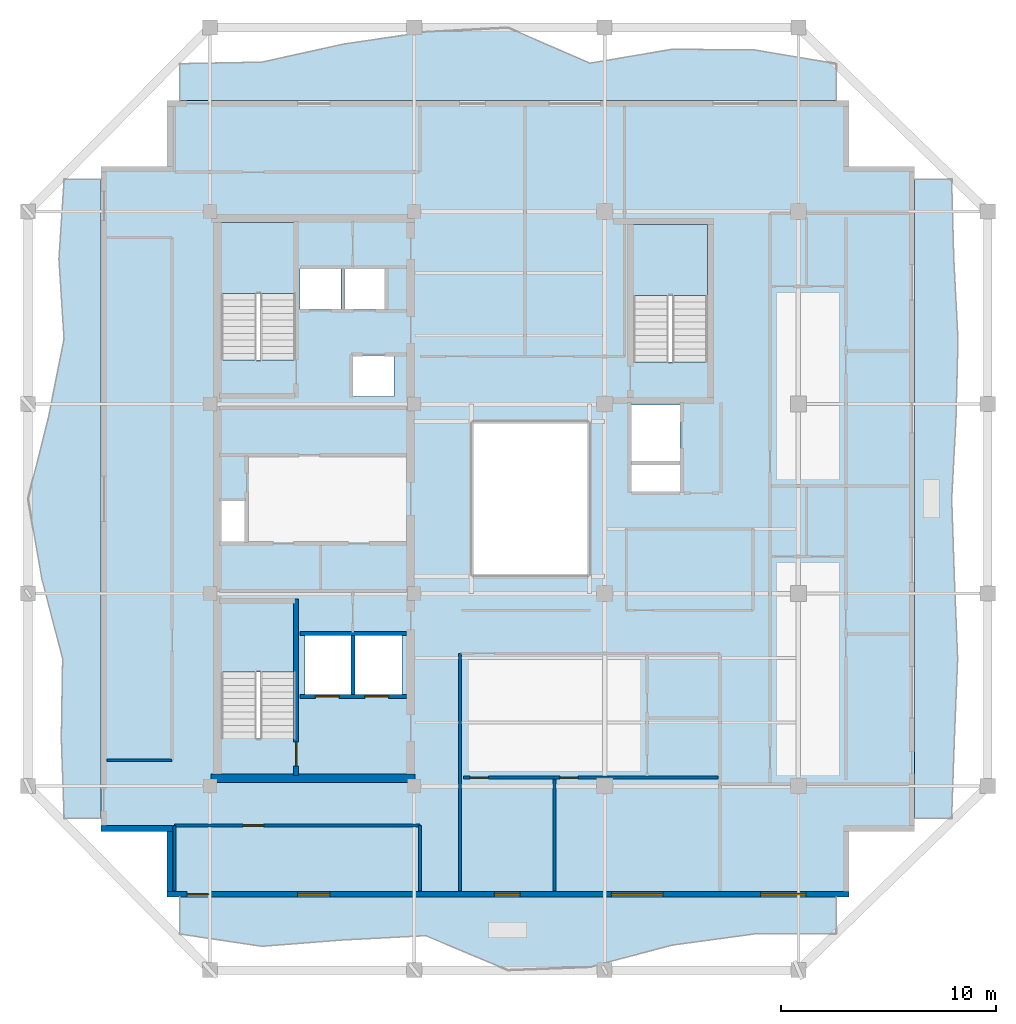
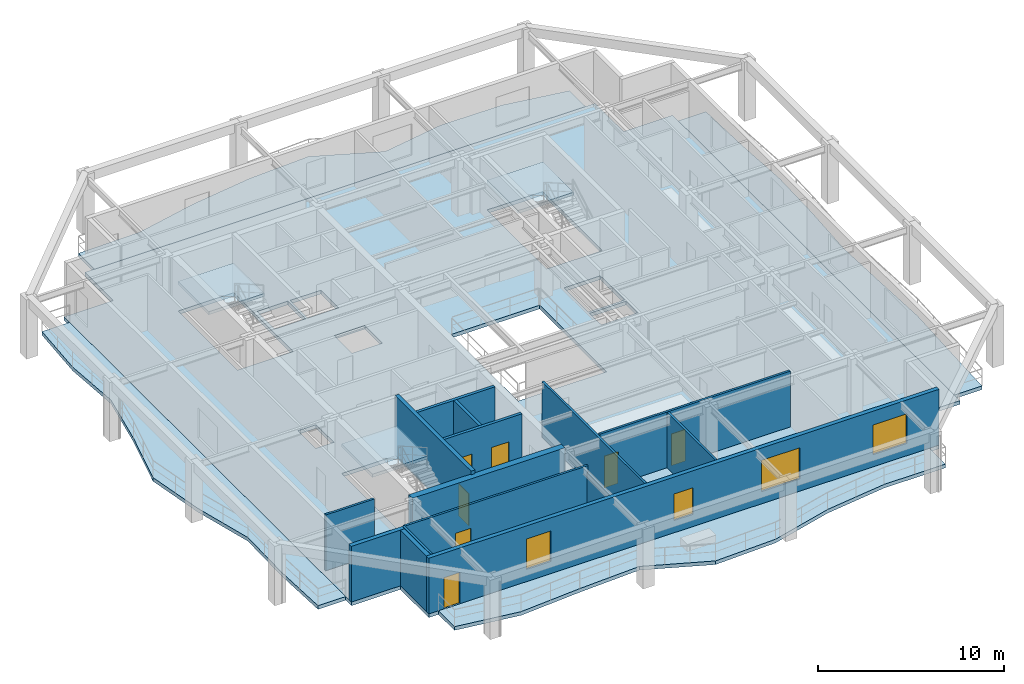
# One storey, part 2 of 10: 15 walls, 8 slabs, 7 doors, 4 windows, 11 openings, 3 elements without a shape of their own.
"""IFC4 building model written with IfcOpenShell, lengths in metres."""

from ifc_helpers import new_model, si_unit, direction, frame, frame_2d, origin, place, context, subcontext, project, spatial, polyline, rectangle, outline, extrude, material, layer, layer_set, type_object, element, fill, aggregate, save


model = new_model("IFC4")

# Units and contexts
model_context = context("Model", 3, precision=1e-05, world=origin(), true_north=direction((0.0, 1.0)))
body_context = subcontext(model_context, "Body", "Model", "MODEL_VIEW")
ifc_project = project(units=[si_unit("LENGTHUNIT", "METRE"), si_unit("AREAUNIT", "SQUARE_METRE"), si_unit("VOLUMEUNIT", "CUBIC_METRE"), si_unit("PLANEANGLEUNIT", "RADIAN"), si_unit("MASSUNIT", "GRAM", prefix="KILO")], contexts=[model_context])

# Site, building, storey
site_placement = place(None, origin())
site = spatial("IfcSite", under=ifc_project, at=site_placement, CompositionType="ELEMENT")
building_placement = place(site_placement, origin())
building = spatial("IfcBuilding", under=site, at=building_placement, Name="Kundavana Baori Tower", CompositionType="ELEMENT")
storey_placement = place(building_placement, frame((0.0, 0.0, 296.0)))
storey = spatial("IfcBuildingStorey", under=building, at=storey_placement, Name="L73", CompositionType="ELEMENT", Elevation=296.0)

# Slab
ifc_material_1 = material(Name="Concrete C40/50", Category="concrete")
ifc_layer_1 = layer(ifc_material_1, 0.239990234375, Name="SLB-FLR-240")
ifc_layer_set_1 = layer_set([ifc_layer_1], Name="Concrete C40/50")
slab_type_1 = type_object("IfcSlabType", Name="SLB-FLR-240", PredefinedType="FLOOR", material=ifc_layer_set_1)
slab_1_placement = place(storey_placement, frame((0.0, 0.0, -0.239990234375)))
element("IfcSlab", 1, at=slab_1_placement, inside=storey, type_object=slab_type_1, Name="L73 Structural Floor Slab", PredefinedType="FLOOR", context=body_context, shape_type="SweptSolid", body=[
    extrude(outline(polyline([(13.449951171875, 10.10009765625), (45.14990234375, 10.10009765625), (45.14990234375, 13.14990234375), (48.199951171875, 13.14990234375), (48.199951171875, 44.050048828125), (45.14990234375, 44.050048828125), (45.14990234375, 47.10009765625), (13.449951171875, 47.10009765625), (13.449951171875, 44.050048828125), (10.39990234375, 44.050048828125), (10.39990234375, 13.14990234375), (13.449951171875, 13.14990234375), (13.449951171875, 10.10009765625)]), holes=[polyline([(19.43994140625, 17.4619140625), (19.43994140625, 23.85009765625), (15.97998046875, 23.85009765625), (15.97998046875, 17.4619140625), (19.43994140625, 17.4619140625)]), polyline([(19.43994140625, 35.06201171875), (19.43994140625, 41.449951171875), (15.97998046875, 41.449951171875), (15.97998046875, 35.06201171875), (19.43994140625, 35.06201171875)]), polyline([(38.580078125, 34.9619140625), (38.580078125, 41.35009765625), (35.1201171875, 41.35009765625), (35.1201171875, 34.9619140625), (38.580078125, 34.9619140625)]), polyline([(19.64990234375, 37.39990234375), (21.550048828125, 37.39990234375), (21.550048828125, 39.300048828125), (19.64990234375, 39.300048828125), (19.64990234375, 37.39990234375)]), polyline([(21.699951171875, 37.39990234375), (23.60009765625, 37.39990234375), (23.60009765625, 39.300048828125), (21.699951171875, 39.300048828125), (21.699951171875, 37.39990234375)]), polyline([(22.10009765625, 33.35009765625), (24.0, 33.35009765625), (24.0, 35.25), (22.10009765625, 35.25), (22.10009765625, 33.35009765625)]), polyline([(19.8798828125, 19.5), (22.02001953125, 19.5), (22.02001953125, 22.25), (19.8798828125, 22.25), (19.8798828125, 19.5)]), polyline([(22.179931640625, 19.5), (24.3798828125, 19.5), (24.3798828125, 22.25), (22.179931640625, 22.25), (22.179931640625, 19.5)]), polyline([(35.050048828125, 30.35009765625), (37.300048828125, 30.35009765625), (37.300048828125, 32.949951171875), (35.050048828125, 32.949951171875), (35.050048828125, 30.35009765625)]), polyline([(15.949951171875, 26.60009765625), (17.080078125, 26.60009765625), (17.080078125, 28.5), (15.949951171875, 28.5), (15.949951171875, 26.60009765625)]), polyline([(35.050048828125, 28.949951171875), (37.300048828125, 28.949951171875), (37.300048828125, 30.199951171875), (35.050048828125, 30.199951171875), (35.050048828125, 28.949951171875)]), polyline([(27.60009765625, 25.0), (33.10009765625, 25.0), (33.10009765625, 32.199951171875), (27.60009765625, 32.199951171875), (27.60009765625, 25.0)])]), origin(), (0.0, 0.0, 1.0), 0.239990234375),
])

# Stair, slab
ifc_material_2 = material(Name="Concrete C40/50", Category="concrete")
stair_type = type_object("IfcStairType", Name="STR-DOG-1650", PredefinedType="HALF_TURN_STAIR", material=ifc_material_2)
stair_1_placement = place(storey_placement, origin())
stair_1 = element("IfcStair", 2, at=stair_1_placement, inside=storey, type_object=stair_type, Name="L73 Protected Exit Stair ST1", PredefinedType="HALF_TURN_STAIR")
ifc_material_3 = material(Name="Concrete C40/50", Category="concrete")
ifc_layer_2 = layer(ifc_material_3, 0.199951171875, Name="SLB-LND-200")
ifc_layer_set_2 = layer_set([ifc_layer_2], Name="Concrete C40/50")
slab_type_2 = type_object("IfcSlabType", Name="SLB-LND-200", PredefinedType="LANDING", material=ifc_layer_set_2)
slab_2_placement = place(storey_placement, frame((0.0, 0.0, 1.75)))
slab_2 = element("IfcSlab", 3, at=slab_2_placement, type_object=slab_type_2, Name="ST1 landing 1", PredefinedType="LANDING", context=body_context, shape_type="SweptSolid", body=[
    extrude(outline(polyline([(19.43994140625, 20.550048828125), (19.43994140625, 23.85009765625), (15.97998046875, 23.85009765625), (15.97998046875, 20.550048828125), (19.43994140625, 20.550048828125)])), origin(), (0.0, 0.0, 1.0), 0.199951171875),
])
aggregate(stair_1, [slab_2])

stair_2_placement = place(storey_placement, origin())
stair_2 = element("IfcStair", 4, at=stair_2_placement, inside=storey, type_object=stair_type, Name="L73 Protected Exit Stair ST2", PredefinedType="HALF_TURN_STAIR")
slab_3_placement = place(storey_placement, frame((0.0, 0.0, 1.75)))
slab_3 = element("IfcSlab", 5, at=slab_3_placement, type_object=slab_type_2, Name="ST2 landing 1", PredefinedType="LANDING", context=body_context, shape_type="SweptSolid", body=[
    extrude(outline(polyline([(19.43994140625, 38.14990234375), (19.43994140625, 41.449951171875), (15.97998046875, 41.449951171875), (15.97998046875, 38.14990234375), (19.43994140625, 38.14990234375)])), origin(), (0.0, 0.0, 1.0), 0.199951171875),
])
aggregate(stair_2, [slab_3])

stair_3_placement = place(storey_placement, origin())
stair_3 = element("IfcStair", 6, at=stair_3_placement, inside=storey, type_object=stair_type, Name="L73 Protected Exit Stair ST3", PredefinedType="HALF_TURN_STAIR")
slab_4_placement = place(storey_placement, frame((0.0, 0.0, 1.75)))
slab_4 = element("IfcSlab", 7, at=slab_4_placement, type_object=slab_type_2, Name="ST3 landing 1", PredefinedType="LANDING", context=body_context, shape_type="SweptSolid", body=[
    extrude(outline(polyline([(38.580078125, 38.050048828125), (38.580078125, 41.35009765625), (35.1201171875, 41.35009765625), (35.1201171875, 38.050048828125), (38.580078125, 38.050048828125)])), origin(), (0.0, 0.0, 1.0), 0.199951171875),
])
aggregate(stair_3, [slab_4])

# Slabs
ifc_material_4 = material(Name="Concrete C40/50", Category="concrete")
ifc_layer_3 = layer(ifc_material_4, 0.239990234375, Name="SLB-LOG-240")
ifc_layer_set_3 = layer_set([ifc_layer_3], Name="Concrete C40/50")
slab_type_3 = type_object("IfcSlabType", Name="SLB-LOG-240", PredefinedType="FLOOR", material=ifc_layer_set_3)
slab_5_placement = place(storey_placement, frame((0.0, 0.0, -0.239990234375)))
element("IfcSlab", 8, at=slab_5_placement, inside=storey, type_object=slab_type_3, Name="L73 Planted Loggia Balcony Slab S", PredefinedType="FLOOR", context=body_context, shape_type="SweptSolid", body=[
    extrude(outline(polyline([(14.050048828125, 10.10009765625), (44.550048828125, 10.10009765625), (44.550048828125, 8.3798828125), (40.737060546875, 8.3798828125), (36.925048828125, 7.860107421875), (33.112060546875, 6.84912109375), (29.300048828125, 6.699951171875), (25.487060546875, 8.301025390625), (21.675048828125, 8.10400390625), (17.863037109375, 7.80810546875), (14.050048828125, 8.3798828125), (14.050048828125, 10.10009765625)])), origin(), (0.0, 0.0, 1.0), 0.239990234375),
])
slab_6_placement = place(storey_placement, frame((0.0, 0.0, -0.239990234375)))
element("IfcSlab", 9, at=slab_6_placement, inside=storey, type_object=slab_type_3, Name="L73 Planted Loggia Balcony Slab E", PredefinedType="FLOOR", context=body_context, shape_type="SweptSolid", body=[
    extrude(outline(polyline([(48.199951171875, 13.75), (48.199951171875, 43.449951171875), (49.919921875, 43.449951171875), (50.02099609375, 39.738037109375), (50.216064453125, 36.02490234375), (50.1220703125, 32.31201171875), (49.924072265625, 28.60009765625), (50.049072265625, 24.887939453125), (50.199951171875, 21.175048828125), (50.048095703125, 17.4619140625), (49.919921875, 13.75), (48.199951171875, 13.75)])), origin(), (0.0, 0.0, 1.0), 0.239990234375),
])
slab_7_placement = place(storey_placement, frame((0.0, 0.0, -0.239990234375)))
element("IfcSlab", 10, at=slab_7_placement, inside=storey, type_object=slab_type_3, Name="L73 Planted Loggia Balcony Slab N", PredefinedType="FLOOR", context=body_context, shape_type="SweptSolid", body=[
    extrude(outline(polyline([(44.550048828125, 47.10009765625), (14.050048828125, 47.10009765625), (14.050048828125, 48.820068359375), (17.863037109375, 48.89111328125), (21.675048828125, 49.73193359375), (25.487060546875, 50.29296875), (29.300048828125, 50.5), (33.112060546875, 48.841064453125), (36.925048828125, 49.488037109375), (40.737060546875, 49.462890625), (44.550048828125, 48.820068359375), (44.550048828125, 47.10009765625)])), origin(), (0.0, 0.0, 1.0), 0.239990234375),
])
slab_8_placement = place(storey_placement, frame((0.0, 0.0, -0.239990234375)))
element("IfcSlab", 11, at=slab_8_placement, inside=storey, type_object=slab_type_3, Name="L73 Planted Loggia Balcony Slab W", PredefinedType="FLOOR", context=body_context, shape_type="SweptSolid", body=[
    extrude(outline(polyline([(10.39990234375, 43.449951171875), (10.39990234375, 13.75), (8.679931640625, 13.75), (8.550048828125, 17.4619140625), (8.611083984375, 21.175048828125), (7.64501953125, 24.887939453125), (7.0, 28.60009765625), (7.93701171875, 32.31201171875), (8.677001953125, 36.02490234375), (8.43896484375, 39.738037109375), (8.679931640625, 43.449951171875), (10.39990234375, 43.449951171875)])), origin(), (0.0, 0.0, 1.0), 0.239990234375),
])

# Wall
ifc_material_5 = material(Name="Concrete C50/60", Category="concrete")
ifc_layer_4 = layer(ifc_material_5, 0.39990234375, Name="WL-CORE-400")
ifc_layer_set_4 = layer_set([ifc_layer_4], Name="Concrete C50/60")
wall_type_1 = type_object("IfcWallType", Name="WL-CORE-400", PredefinedType="SHEAR", material=ifc_layer_set_4)
wall_1_placement = place(storey_placement, frame((15.5, 15.610107421875, 0.0), z_axis=(0.0, 0.0, 1.0), x_axis=(1.0, 0.0, 0.0)))
element("IfcWall", 12, at=wall_1_placement, inside=storey, type_object=wall_type_1, Name="L73 Offset Core South Shear Wall", PredefinedType="SHEAR", context=body_context, shape_type="SweptSolid", body=[
    extrude(rectangle(XDim=9.47998046875, YDim=0.39990234375, at=frame_2d((4.739990234375, 0.0))), origin(), (0.0, 0.0, 1.0), 3.659912109375),
])

# Wall, opening, door
wall_2_placement = place(storey_placement, frame((19.4599609375, 15.739990234375, 0.0), z_axis=(0.0, 0.0, 1.0), x_axis=(0.0, 1.0, 0.0)))
wall_2 = element("IfcWall", 13, at=wall_2_placement, inside=storey, type_object=wall_type_1, Name="WL-L73-ST1-E", PredefinedType="SHEAR", context=body_context, shape_type="SweptSolid", body=[
    extrude(rectangle(XDim=8.199951171875, YDim=0.239990234375, at=frame_2d((4.10009765625, 0.0))), origin(), (0.0, 0.0, 1.0), 3.89990234375),
])
opening_1_placement = place(wall_2_placement, frame((0.449951171875, 0.0, 0.0)))
opening_1 = element("IfcOpeningElement", 14, at=opening_1_placement, cuts=wall_2, Name="Opening FD-110", PredefinedType="OPENING", context=body_context, shape_type="SweptSolid", body=[
    extrude(rectangle(XDim=1.10009765625, YDim=2.10009765625, at=frame_2d((0.550048828125, 1.050048828125))), frame((0.0, 0.1298828125, 0.0), z_axis=(0.0, -1.0, 0.0), x_axis=(1.0, 0.0, 0.0)), (0.0, 0.0, 1.0), 0.260009765625),
])
ifc_material_6 = material(Name="Galvanised Steel Fire-Rated Door Leaf", Category="steel")
door_type_1 = type_object("IfcDoorType", Name="DR-FD120-1100", OperationType="NOTDEFINED", PredefinedType="DOOR", material=ifc_material_6)
door_1_placement = place(opening_1_placement, origin())
door_1 = element("IfcDoor", 15, at=door_1_placement, inside=storey, type_object=door_type_1, Name="DR-L73-ST1", OperationType="SINGLE_SWING_LEFT", OverallHeight=2.10009765625, OverallWidth=1.10009765625, PredefinedType="DOOR", context=body_context, shape_type="SweptSolid", body=[
    extrude(rectangle(XDim=1.10009765625, YDim=2.10009765625, at=frame_2d((0.550048828125, 1.050048828125))), frame((0.0, 0.02490234375, 0.0), z_axis=(0.0, -1.0, 0.0), x_axis=(1.0, 0.0, 0.0)), (0.0, 0.0, 1.0), 0.050048828125),
])
fill(opening_1, door_1)

# Wall, openings, door, windows
ifc_material_7 = material(Name="Kiln-Fired Terracotta Brick-Slip Masonry on Concrete C40/50", Category="masonry")
ifc_layer_5 = layer(ifc_material_7, 0.260009765625, Name="WL-EXT-BRK-260")
ifc_layer_set_5 = layer_set([ifc_layer_5], Name="Kiln-Fired Terracotta Brick-Slip Masonry on Concrete C40/50")
wall_type_2 = type_object("IfcWallType", Name="WL-EXT-BRK-260", PredefinedType="SOLIDWALL", material=ifc_layer_set_5)
wall_3_placement = place(storey_placement, frame((13.449951171875, 10.22998046875, 0.0), z_axis=(0.0, 0.0, 1.0), x_axis=(1.0, 0.0, 0.0)))
wall_3 = element("IfcWall", 16, at=wall_3_placement, inside=storey, type_object=wall_type_2, Name="L73 Exterior Insulated Facade Wall 01", PredefinedType="SOLIDWALL", context=body_context, shape_type="SweptSolid", body=[
    extrude(rectangle(XDim=31.699951171875, YDim=0.260009765625, at=frame_2d((15.85009765625, 0.0))), origin(), (0.0, 0.0, 1.0), 3.659912109375),
])
opening_2_placement = place(wall_3_placement, frame((0.949951171875, 0.0, 0.0)))
opening_2 = element("IfcOpeningElement", 17, at=opening_2_placement, cuts=wall_3, Name="Opening BD-1", PredefinedType="OPENING", context=body_context, shape_type="SweptSolid", body=[
    extrude(rectangle(XDim=1.0, YDim=2.050048828125, at=frame_2d((0.5, 1.02490234375))), frame((0.0, 0.14013671875, 0.0), z_axis=(0.0, -1.0, 0.0), x_axis=(1.0, 0.0, 0.0)), (0.0, 0.0, 1.0), 0.280029296875),
])
opening_3_placement = place(wall_3_placement, frame((6.0849609375, 0.0, 0.800048828125)))
opening_3 = element("IfcOpeningElement", 18, at=opening_3_placement, cuts=wall_3, Name="Opening W-02", PredefinedType="OPENING", context=body_context, shape_type="SweptSolid", body=[
    extrude(rectangle(XDim=1.5, YDim=2.0, at=frame_2d((0.75, 1.0))), frame((0.0, 0.14013671875, 0.0), z_axis=(0.0, -1.0, 0.0), x_axis=(1.0, 0.0, 0.0)), (0.0, 0.0, 1.0), 0.280029296875),
])
opening_4_placement = place(wall_3_placement, frame((15.222900390625, 0.0, 0.800048828125)))
opening_4 = element("IfcOpeningElement", 19, at=opening_4_placement, cuts=wall_3, Name="Opening W-03", PredefinedType="OPENING", context=body_context, shape_type="SweptSolid", body=[
    extrude(rectangle(XDim=1.199951171875, YDim=1.75, at=frame_2d((0.60009765625, 0.875))), frame((0.0, 0.14013671875, 0.0), z_axis=(0.0, -1.0, 0.0), x_axis=(1.0, 0.0, 0.0)), (0.0, 0.0, 1.0), 0.280029296875),
])
opening_5_placement = place(wall_3_placement, frame((20.657958984375, 0.0, 0.800048828125)))
opening_5 = element("IfcOpeningElement", 20, at=opening_5_placement, cuts=wall_3, Name="Opening W-04", PredefinedType="OPENING", context=body_context, shape_type="SweptSolid", body=[
    extrude(rectangle(XDim=2.39990234375, YDim=2.050048828125, at=frame_2d((1.199951171875, 1.02490234375))), frame((0.0, 0.14013671875, 0.0), z_axis=(0.0, -1.0, 0.0), x_axis=(1.0, 0.0, 0.0)), (0.0, 0.0, 1.0), 0.280029296875),
])
opening_6_placement = place(wall_3_placement, frame((27.594970703125, 0.0, 0.800048828125)))
opening_6 = element("IfcOpeningElement", 21, at=opening_6_placement, cuts=wall_3, Name="Opening W-05", PredefinedType="OPENING", context=body_context, shape_type="SweptSolid", body=[
    extrude(rectangle(XDim=2.10009765625, YDim=1.949951171875, at=frame_2d((1.050048828125, 0.97509765625))), frame((0.0, 0.14013671875, 0.0), z_axis=(0.0, -1.0, 0.0), x_axis=(1.0, 0.0, 0.0)), (0.0, 0.0, 1.0), 0.280029296875),
])
ifc_material_8 = material(Name="Architectural Patinated Bronze Metalwork")
door_type_2 = type_object("IfcDoorType", Name="DR-EXT-LOG-1000", OperationType="NOTDEFINED", PredefinedType="DOOR", material=ifc_material_8)
door_2_placement = place(opening_2_placement, frame((1.0, 0.0, 0.0), z_axis=(0.0, 0.0, 1.0), x_axis=(-1.0, 0.0, 0.0)))
door_2 = element("IfcDoor", 22, at=door_2_placement, inside=storey, type_object=door_type_2, Name="L73 Loggia Balcony Access Door S", OperationType="SINGLE_SWING_LEFT", OverallHeight=2.050048828125, OverallWidth=1.0, PredefinedType="DOOR", context=body_context, shape_type="SweptSolid", body=[
    extrude(rectangle(XDim=1.0, YDim=2.050048828125, at=frame_2d((0.5, 1.02490234375))), frame((0.0, 0.02490234375, 0.0), z_axis=(0.0, -1.0, 0.0), x_axis=(1.0, 0.0, 0.0)), (0.0, 0.0, 1.0), 0.050048828125),
])
fill(opening_2, door_2)
ifc_material_9 = material(Name="Double-Glazed Solar-Control Low-E Insulated Glass", Category="glass")
window_type_1 = type_object("IfcWindowType", Name="WIN-LOG-1200x1750", PartitioningType="SINGLE_PANEL", PredefinedType="WINDOW", material=ifc_material_9)
window_1_placement = place(opening_4_placement, origin())
window_1 = element("IfcWindow", 23, at=window_1_placement, inside=storey, type_object=window_type_1, Name="L73 Recessed Loggia Window S-2", OverallHeight=1.75, OverallWidth=1.199951171875, PartitioningType="SINGLE_PANEL", PredefinedType="WINDOW", context=body_context, shape_type="SweptSolid", body=[
    extrude(rectangle(XDim=1.199951171875, YDim=1.75, at=frame_2d((0.60009765625, 0.875))), frame((0.0, 0.030029296875, 0.0), z_axis=(0.0, -1.0, 0.0), x_axis=(1.0, 0.0, 0.0)), (0.0, 0.0, 1.0), 0.06005859375),
])
fill(opening_4, window_1)
ifc_material_10 = material(Name="Double-Glazed Solar-Control Low-E Insulated Glass", Category="glass")
window_type_2 = type_object("IfcWindowType", Name="WIN-LOG-1500x2000", PartitioningType="SINGLE_PANEL", PredefinedType="WINDOW", material=ifc_material_10)
window_2_placement = place(opening_3_placement, origin())
window_2 = element("IfcWindow", 24, at=window_2_placement, inside=storey, type_object=window_type_2, Name="L73 Recessed Loggia Window S-1", OverallHeight=2.0, OverallWidth=1.5, PartitioningType="SINGLE_PANEL", PredefinedType="WINDOW", context=body_context, shape_type="SweptSolid", body=[
    extrude(rectangle(XDim=1.5, YDim=2.0, at=frame_2d((0.75, 1.0))), frame((0.0, 0.030029296875, 0.0), z_axis=(0.0, -1.0, 0.0), x_axis=(1.0, 0.0, 0.0)), (0.0, 0.0, 1.0), 0.06005859375),
])
fill(opening_3, window_2)
ifc_material_11 = material(Name="Double-Glazed Solar-Control Low-E Insulated Glass", Category="glass")
window_type_3 = type_object("IfcWindowType", Name="WIN-LOG-2100x1950", PartitioningType="SINGLE_PANEL", PredefinedType="WINDOW", material=ifc_material_11)
window_3_placement = place(opening_6_placement, origin())
window_3 = element("IfcWindow", 25, at=window_3_placement, inside=storey, type_object=window_type_3, Name="L73 Recessed Loggia Window S-4", OverallHeight=1.949951171875, OverallWidth=2.10009765625, PartitioningType="SINGLE_PANEL", PredefinedType="WINDOW", context=body_context, shape_type="SweptSolid", body=[
    extrude(rectangle(XDim=2.10009765625, YDim=1.949951171875, at=frame_2d((1.050048828125, 0.97509765625))), frame((0.0, 0.030029296875, 0.0), z_axis=(0.0, -1.0, 0.0), x_axis=(1.0, 0.0, 0.0)), (0.0, 0.0, 1.0), 0.06005859375),
])
fill(opening_6, window_3)
ifc_material_12 = material(Name="Double-Glazed Solar-Control Low-E Insulated Glass", Category="glass")
window_type_4 = type_object("IfcWindowType", Name="WIN-LOG-2400x2050", PartitioningType="SINGLE_PANEL", PredefinedType="WINDOW", material=ifc_material_12)
window_4_placement = place(opening_5_placement, origin())
window_4 = element("IfcWindow", 26, at=window_4_placement, inside=storey, type_object=window_type_4, Name="L73 Recessed Loggia Window S-3", OverallHeight=2.050048828125, OverallWidth=2.39990234375, PartitioningType="SINGLE_PANEL", PredefinedType="WINDOW", context=body_context, shape_type="SweptSolid", body=[
    extrude(rectangle(XDim=2.39990234375, YDim=2.050048828125, at=frame_2d((1.199951171875, 1.02490234375))), frame((0.0, 0.030029296875, 0.0), z_axis=(0.0, -1.0, 0.0), x_axis=(1.0, 0.0, 0.0)), (0.0, 0.0, 1.0), 0.06005859375),
])
fill(opening_5, window_4)

# Walls
wall_4_placement = place(storey_placement, frame((10.39990234375, 13.280029296875, 0.0), z_axis=(0.0, 0.0, 1.0), x_axis=(1.0, 0.0, 0.0)))
element("IfcWall", 27, at=wall_4_placement, inside=storey, type_object=wall_type_2, Name="L73 Exterior Insulated Facade Wall 11", PredefinedType="SOLIDWALL", context=body_context, shape_type="SweptSolid", body=[
    extrude(rectangle(XDim=3.31005859375, YDim=0.260009765625, at=frame_2d((1.655029296875, 0.0))), origin(), (0.0, 0.0, 1.0), 3.659912109375),
])
wall_5_placement = place(storey_placement, frame((13.580078125, 13.14990234375, 0.0), z_axis=(0.0, 0.0, 1.0), x_axis=(0.0, -1.0, 0.0)))
element("IfcWall", 28, at=wall_5_placement, inside=storey, type_object=wall_type_2, Name="L73 Exterior Insulated Facade Wall 12", PredefinedType="SOLIDWALL", context=body_context, shape_type="SweptSolid", body=[
    extrude(rectangle(XDim=2.789794921875, YDim=0.260009765625, at=frame_2d((1.39501953125, 0.0))), origin(), (0.0, 0.0, 1.0), 3.659912109375),
])
ifc_material_13 = material(Name="Acoustic Gypsum Plasterboard on Galvanised Steel Studs", Category="steel")
ifc_layer_6 = layer(ifc_material_13, 0.135009765625, Name="WL-PART-135")
ifc_layer_set_6 = layer_set([ifc_layer_6], Name="Acoustic Gypsum Plasterboard on Galvanised Steel Studs")
wall_type_3 = type_object("IfcWallType", Name="WL-PART-135", PredefinedType="PARTITIONING", material=ifc_layer_set_6)
wall_6_placement = place(storey_placement, frame((27.080078125, 10.3798828125, 0.0), z_axis=(0.0, 0.0, 1.0), x_axis=(0.0, 1.0, 0.0)))
element("IfcWall", 29, at=wall_6_placement, inside=storey, type_object=wall_type_3, Name="WL-L73-RSW", PredefinedType="PARTITIONING", context=body_context, shape_type="SweptSolid", body=[
    extrude(rectangle(XDim=11.0400390625, YDim=0.135009765625, at=frame_2d((5.52001953125, 0.0))), origin(), (0.0, 0.0, 1.0), 3.659912109375),
])

# Wall, opening, door
wall_7_placement = place(storey_placement, frame((13.800048828125, 13.419921875, 0.0), z_axis=(0.0, 0.0, 1.0), x_axis=(1.0, 0.0, 0.0)))
wall_7 = element("IfcWall", 30, at=wall_7_placement, inside=storey, type_object=wall_type_3, Name="WL-L73-RSC", PredefinedType="PARTITIONING", context=body_context, shape_type="SweptSolid", body=[
    extrude(rectangle(XDim=11.419921875, YDim=0.135009765625, at=frame_2d((5.7099609375, 0.0))), origin(), (0.0, 0.0, 1.0), 3.659912109375),
])
opening_7_placement = place(wall_7_placement, frame((3.199951171875, 0.0, 0.0)))
opening_7 = element("IfcOpeningElement", 31, at=opening_7_placement, cuts=wall_7, Name="Opening ID-095", PredefinedType="OPENING", context=body_context, shape_type="SweptSolid", body=[
    extrude(rectangle(XDim=0.949951171875, YDim=2.080078125, at=frame_2d((0.47509765625, 1.0400390625))), frame((0.0, 0.07763671875, 0.0), z_axis=(0.0, -1.0, 0.0), x_axis=(1.0, 0.0, 0.0)), (0.0, 0.0, 1.0), 0.155029296875),
])
ifc_material_14 = material(Name="Engineered Teak Solid-Core Timber Veneer", Category="wood")
door_type_3 = type_object("IfcDoorType", Name="DR-INT-950", OperationType="NOTDEFINED", PredefinedType="DOOR", material=ifc_material_14)
door_3_placement = place(opening_7_placement, frame((0.949951171875, 0.0, 0.0), z_axis=(0.0, 0.0, 1.0), x_axis=(-1.0, 0.0, 0.0)))
door_3 = element("IfcDoor", 32, at=door_3_placement, inside=storey, type_object=door_type_3, Name="DR-L73-RMSW", OperationType="SINGLE_SWING_LEFT", OverallHeight=2.080078125, OverallWidth=0.949951171875, PredefinedType="DOOR", context=body_context, shape_type="SweptSolid", body=[
    extrude(rectangle(XDim=0.949951171875, YDim=2.080078125, at=frame_2d((0.47509765625, 1.0400390625))), frame((0.0, 0.02490234375, 0.0), z_axis=(0.0, -1.0, 0.0), x_axis=(1.0, 0.0, 0.0)), (0.0, 0.0, 1.0), 0.050048828125),
])
fill(opening_7, door_3)

# Walls
wall_8_placement = place(storey_placement, frame((13.800048828125, 10.3798828125, 0.0), z_axis=(0.0, 0.0, 1.0), x_axis=(0.0, 1.0, 0.0)))
element("IfcWall", 33, at=wall_8_placement, inside=storey, type_object=wall_type_3, Name="WL-L73-RSCW", PredefinedType="PARTITIONING", context=body_context, shape_type="SweptSolid", body=[
    extrude(rectangle(XDim=3.0400390625, YDim=0.135009765625, at=frame_2d((1.52001953125, 0.0))), origin(), (0.0, 0.0, 1.0), 3.659912109375),
])
wall_9_placement = place(storey_placement, frame((25.219970703125, 10.3798828125, 0.0), z_axis=(0.0, 0.0, 1.0), x_axis=(0.0, 1.0, 0.0)))
element("IfcWall", 34, at=wall_9_placement, inside=storey, type_object=wall_type_3, Name="WL-L73-RSCE", PredefinedType="PARTITIONING", context=body_context, shape_type="SweptSolid", body=[
    extrude(rectangle(XDim=3.0400390625, YDim=0.135009765625, at=frame_2d((1.52001953125, 0.0))), origin(), (0.0, 0.0, 1.0), 3.2099609375),
])
wall_10_placement = place(storey_placement, frame((10.679931640625, 16.449951171875, 0.0), z_axis=(0.0, 0.0, 1.0), x_axis=(1.0, 0.0, 0.0)))
element("IfcWall", 35, at=wall_10_placement, inside=storey, type_object=wall_type_3, Name="WL-L73-RWS", PredefinedType="PARTITIONING", context=body_context, shape_type="SweptSolid", body=[
    extrude(rectangle(XDim=3.02001953125, YDim=0.135009765625, at=frame_2d((1.510009765625, 0.0))), origin(), (0.0, 0.0, 1.0), 3.659912109375),
])

# Wall, openings, doors
wall_11_placement = place(storey_placement, frame((27.239990234375, 15.64111328125, 0.0), z_axis=(0.0, 0.0, 1.0), x_axis=(1.0, 0.0, 0.0)))
wall_11 = element("IfcWall", 36, at=wall_11_placement, inside=storey, type_object=wall_type_3, Name="WL-L73-S1-HZ", PredefinedType="PARTITIONING", context=body_context, shape_type="SweptSolid", body=[
    extrude(rectangle(XDim=11.830078125, YDim=0.135009765625, at=frame_2d((5.9150390625, 0.0))), origin(), (0.0, 0.0, 1.0), 3.659912109375),
])
opening_8_placement = place(wall_11_placement, frame((0.300048828125, 0.0, 0.0)))
opening_8 = element("IfcOpeningElement", 37, at=opening_8_placement, cuts=wall_11, Name="Opening ID-085", PredefinedType="OPENING", context=body_context, shape_type="SweptSolid", body=[
    extrude(rectangle(XDim=0.85009765625, YDim=2.080078125, at=frame_2d((0.425048828125, 1.0400390625))), frame((0.0, 0.07763671875, 0.0), z_axis=(0.0, -1.0, 0.0), x_axis=(1.0, 0.0, 0.0)), (0.0, 0.0, 1.0), 0.155029296875),
])
opening_9_placement = place(wall_11_placement, frame((4.47509765625, 0.0, 0.0)))
opening_9 = element("IfcOpeningElement", 38, at=opening_9_placement, cuts=wall_11, Name="Opening ID-085", PredefinedType="OPENING", context=body_context, shape_type="SweptSolid", body=[
    extrude(rectangle(XDim=0.85009765625, YDim=2.080078125, at=frame_2d((0.425048828125, 1.0400390625))), frame((0.0, 0.07763671875, 0.0), z_axis=(0.0, -1.0, 0.0), x_axis=(1.0, 0.0, 0.0)), (0.0, 0.0, 1.0), 0.155029296875),
])
ifc_material_15 = material(Name="Engineered Teak Solid-Core Timber Veneer", Category="wood")
door_type_4 = type_object("IfcDoorType", Name="DR-INT-850", OperationType="NOTDEFINED", PredefinedType="DOOR", material=ifc_material_15)
door_4_placement = place(opening_8_placement, frame((0.85009765625, 0.0, 0.0), z_axis=(0.0, 0.0, 1.0), x_axis=(-1.0, 0.0, 0.0)))
door_4 = element("IfcDoor", 39, at=door_4_placement, inside=storey, type_object=door_type_4, Name="DR-L73-S1-B1", OperationType="SINGLE_SWING_LEFT", OverallHeight=2.080078125, OverallWidth=0.85009765625, PredefinedType="DOOR", context=body_context, shape_type="SweptSolid", body=[
    extrude(rectangle(XDim=0.85009765625, YDim=2.080078125, at=frame_2d((0.425048828125, 1.0400390625))), frame((0.0, 0.02490234375, 0.0), z_axis=(0.0, -1.0, 0.0), x_axis=(1.0, 0.0, 0.0)), (0.0, 0.0, 1.0), 0.050048828125),
])
fill(opening_8, door_4)
door_5_placement = place(opening_9_placement, frame((0.85009765625, 0.0, 0.0), z_axis=(0.0, 0.0, 1.0), x_axis=(-1.0, 0.0, 0.0)))
door_5 = element("IfcDoor", 40, at=door_5_placement, inside=storey, type_object=door_type_4, Name="DR-L73-S1-B2", OperationType="SINGLE_SWING_RIGHT", OverallHeight=2.080078125, OverallWidth=0.85009765625, PredefinedType="DOOR", context=body_context, shape_type="SweptSolid", body=[
    extrude(rectangle(XDim=0.85009765625, YDim=2.080078125, at=frame_2d((0.425048828125, 1.0400390625))), frame((0.0, 0.02490234375, 0.0), z_axis=(0.0, -1.0, 0.0), x_axis=(1.0, 0.0, 0.0)), (0.0, 0.0, 1.0), 0.050048828125),
])
fill(opening_9, door_5)

# Wall
wall_12_placement = place(storey_placement, frame((31.465087890625, 10.3798828125, 0.0), z_axis=(0.0, 0.0, 1.0), x_axis=(0.0, 1.0, 0.0)))
element("IfcWall", 41, at=wall_12_placement, inside=storey, type_object=wall_type_3, Name="WL-L73-S1-BDV", PredefinedType="PARTITIONING", context=body_context, shape_type="SweptSolid", body=[
    extrude(rectangle(XDim=5.18115234375, YDim=0.135009765625, at=frame_2d((2.590576171875, 0.0))), origin(), (0.0, 0.0, 1.0), 3.659912109375),
])

# Wall, openings, doors
ifc_material_16 = material(Name="Autoclaved Aerated Concrete Blockwork Masonry", Category="masonry")
ifc_layer_7 = layer(ifc_material_16, 0.179931640625, Name="WL-SHAFT-180")
ifc_layer_set_7 = layer_set([ifc_layer_7], Name="Autoclaved Aerated Concrete Blockwork Masonry")
wall_type_4 = type_object("IfcWallType", Name="WL-SHAFT-180", PredefinedType="SOLIDWALL", material=ifc_layer_set_7)
wall_13_placement = place(storey_placement, frame((19.639892578125, 19.419921875, 0.0), z_axis=(0.0, 0.0, 1.0), x_axis=(1.0, 0.0, 0.0)))
wall_13 = element("IfcWall", 42, at=wall_13_placement, inside=storey, type_object=wall_type_4, Name="WL-L73-FFL-S", PredefinedType="SOLIDWALL", context=body_context, shape_type="SweptSolid", body=[
    extrude(rectangle(XDim=4.940185546875, YDim=0.179931640625, at=frame_2d((2.47021484375, 0.0))), origin(), (0.0, 0.0, 1.0), 3.659912109375),
])
opening_10_placement = place(wall_13_placement, frame((0.719970703125, 0.0, 0.0)))
opening_10 = element("IfcOpeningElement", 43, at=opening_10_placement, cuts=wall_13, Name="Opening LD-110", PredefinedType="OPENING", context=body_context, shape_type="SweptSolid", body=[
    extrude(rectangle(XDim=1.10009765625, YDim=2.10009765625, at=frame_2d((0.550048828125, 1.050048828125))), frame((0.0, 0.10009765625, 0.0), z_axis=(0.0, -1.0, 0.0), x_axis=(1.0, 0.0, 0.0)), (0.0, 0.0, 1.0), 0.199951171875),
])
opening_11_placement = place(wall_13_placement, frame((3.02001953125, 0.0, 0.0)))
opening_11 = element("IfcOpeningElement", 44, at=opening_11_placement, cuts=wall_13, Name="Opening LD-110", PredefinedType="OPENING", context=body_context, shape_type="SweptSolid", body=[
    extrude(rectangle(XDim=1.10009765625, YDim=2.10009765625, at=frame_2d((0.550048828125, 1.050048828125))), frame((0.0, 0.10009765625, 0.0), z_axis=(0.0, -1.0, 0.0), x_axis=(1.0, 0.0, 0.0)), (0.0, 0.0, 1.0), 0.199951171875),
])
ifc_material_17 = material(Name="Galvanised Steel Fire-Rated Door Leaf", Category="steel")
door_type_5 = type_object("IfcDoorType", Name="DR-SLIDE-LD1100", OperationType="NOTDEFINED", PredefinedType="DOOR", material=ifc_material_17)
door_6_placement = place(opening_10_placement, origin())
door_6 = element("IfcDoor", 45, at=door_6_placement, inside=storey, type_object=door_type_5, Name="DR-L73-LD-FFL-1", OperationType="DOUBLE_DOOR_SLIDING", OverallHeight=2.10009765625, OverallWidth=1.10009765625, PredefinedType="DOOR", context=body_context, shape_type="SweptSolid", body=[
    extrude(rectangle(XDim=1.10009765625, YDim=2.10009765625, at=frame_2d((0.550048828125, 1.050048828125))), frame((0.0, 0.02490234375, 0.0), z_axis=(0.0, -1.0, 0.0), x_axis=(1.0, 0.0, 0.0)), (0.0, 0.0, 1.0), 0.050048828125),
])
fill(opening_10, door_6)
door_7_placement = place(opening_11_placement, origin())
door_7 = element("IfcDoor", 46, at=door_7_placement, inside=storey, type_object=door_type_5, Name="DR-L73-LD-FFL-2", OperationType="DOUBLE_DOOR_SLIDING", OverallHeight=2.10009765625, OverallWidth=1.10009765625, PredefinedType="DOOR", context=body_context, shape_type="SweptSolid", body=[
    extrude(rectangle(XDim=1.10009765625, YDim=2.10009765625, at=frame_2d((0.550048828125, 1.050048828125))), frame((0.0, 0.02490234375, 0.0), z_axis=(0.0, -1.0, 0.0), x_axis=(1.0, 0.0, 0.0)), (0.0, 0.0, 1.0), 0.050048828125),
])
fill(opening_11, door_7)

# Walls
wall_14_placement = place(storey_placement, frame((22.10009765625, 19.510009765625, 0.0), z_axis=(0.0, 0.0, 1.0), x_axis=(0.0, 1.0, 0.0)))
element("IfcWall", 47, at=wall_14_placement, inside=storey, type_object=wall_type_4, Name="WL-L73-FFL-MID", PredefinedType="SOLIDWALL", context=body_context, shape_type="SweptSolid", body=[
    extrude(rectangle(XDim=2.739990234375, YDim=0.179931640625, at=frame_2d((1.3701171875, 0.0))), origin(), (0.0, 0.0, 1.0), 3.659912109375),
])
wall_15_placement = place(storey_placement, frame((19.639892578125, 22.340087890625, 0.0), z_axis=(0.0, 0.0, 1.0), x_axis=(1.0, 0.0, 0.0)))
element("IfcWall", 48, at=wall_15_placement, inside=storey, type_object=wall_type_4, Name="WL-L73-FFL-N", PredefinedType="SOLIDWALL", context=body_context, shape_type="SweptSolid", body=[
    extrude(rectangle(XDim=4.940185546875, YDim=0.179931640625, at=frame_2d((2.47021484375, 0.0))), origin(), (0.0, 0.0, 1.0), 3.659912109375),
])

save(model, "model.ifc")
